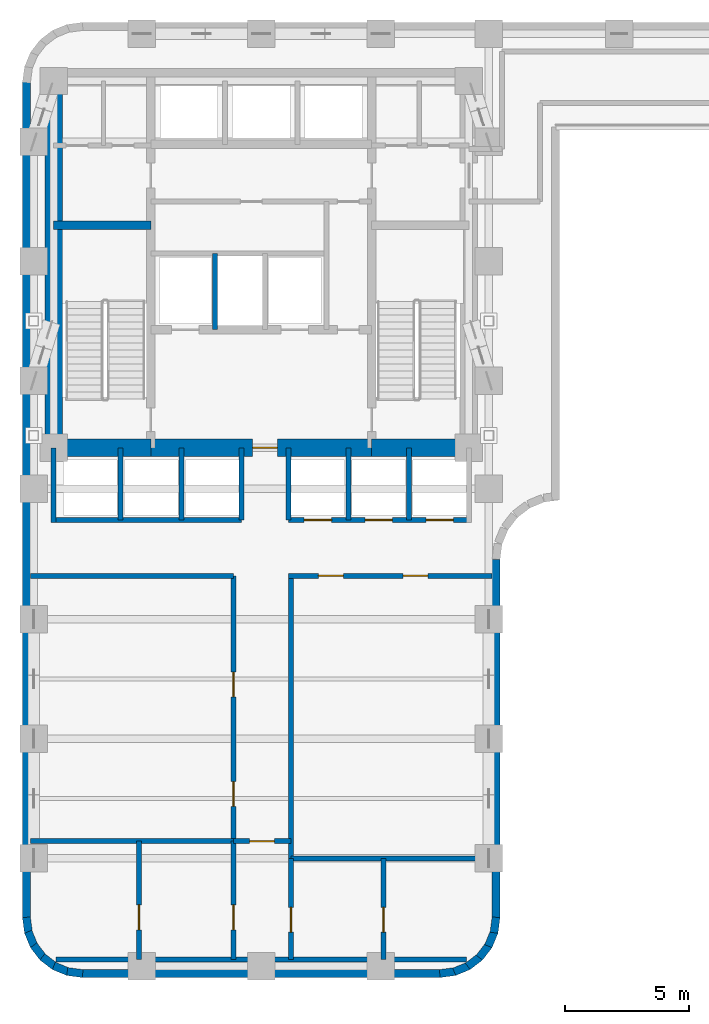
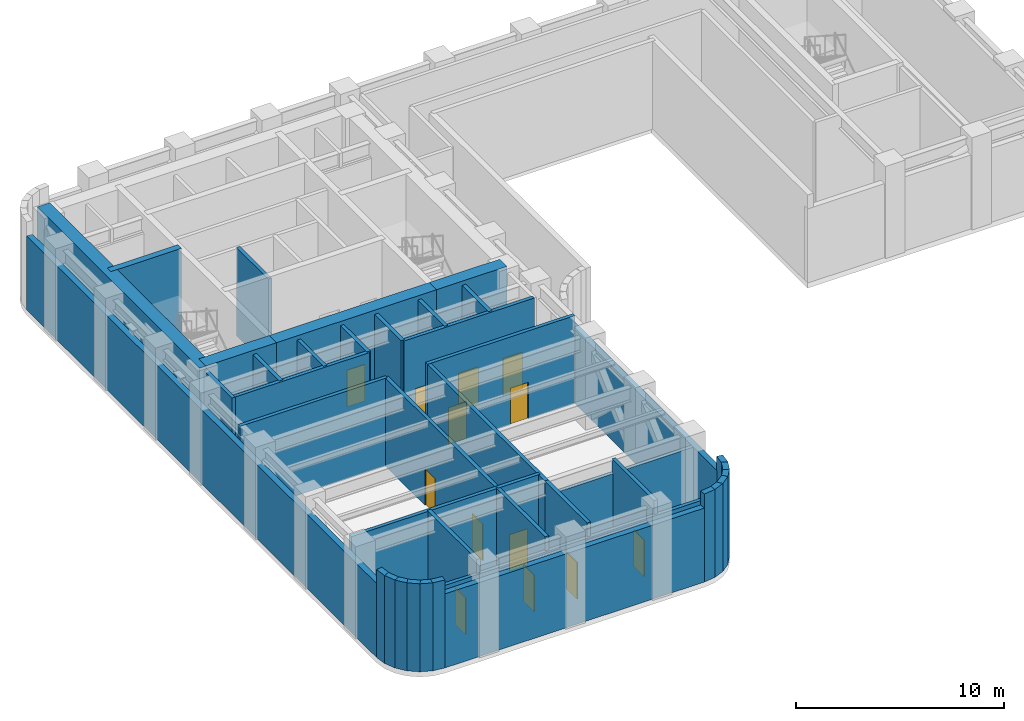
# One storey, part 5 of 9: 42 walls, 13 doors, 13 openings.
"""IFC4 building model written with IfcOpenShell, lengths in metres."""

import ifcopenshell
import ifcopenshell.guid

model = None  # the IFC model being written
_history = None  # IfcOwnerHistory: only IFC2X3 demands one
_inside = {}  # id of a spatial element -> (the spatial element, [elements in it])
_under = {}  # id of a project, library or spatial element -> (it, [spatial elements below it])
_declared = {}  # id of a project -> (the project, [libraries it declares])
_typed = {}  # id of a type object -> (the type object, [elements of that type])
_made_of = {}  # id of a material, layer set ... -> (it, [elements and type objects made of it])


def new_model(schema):
    """Start an empty IFC model of exactly this schema.

    Asked for "IFC4X3", IfcOpenShell would pick the latest addendum, in which some entities
    have other attributes; the version numbers below select the first issue.
    IFC2X3 requires an IfcOwnerHistory on every rooted entity: one is made here for all.
    """
    global model, _history
    if schema == "IFC4X3":
        model = ifcopenshell.file(schema_version=(4, 3, 0, 0))
    else:
        model = ifcopenshell.file(schema=schema)
    _inside.clear()
    _under.clear()
    _declared.clear()
    _typed.clear()
    _made_of.clear()
    _history = None
    if model.schema == "IFC2X3":
        org = make("IfcOrganization", Name="unknown")
        user = make(
            "IfcPersonAndOrganization",
            ThePerson=make("IfcPerson", FamilyName="unknown"),
            TheOrganization=org,
        )
        app = make(
            "IfcApplication",
            ApplicationDeveloper=org,
            Version="unknown",
            ApplicationFullName="unknown",
            ApplicationIdentifier="unknown",
        )
        _history = make(
            "IfcOwnerHistory",
            OwningUser=user,
            OwningApplication=app,
            ChangeAction="ADDED",
            CreationDate=0,
        )
    return model


def make(cls, **values):
    """One entity of the class cls with the attributes given. An attribute that is None is left unset."""
    return model.create_entity(
        cls, **{name: value for name, value in values.items() if value is not None}
    )


def rooted(cls, **values):
    """An entity with a GlobalId (a new one), such as an element, a storey or a relation."""
    return make(cls, GlobalId=ifcopenshell.guid.new(), OwnerHistory=_history, **values)


def si_unit(unit_type, name, prefix=None):
    """IfcSIUnit, for example si_unit("LENGTHUNIT", "METRE", prefix="MILLI")."""
    return make("IfcSIUnit", UnitType=unit_type, Prefix=prefix, Name=name)


def assignment(units):
    """IfcUnitAssignment: the units of a project."""
    return None if units is None else make("IfcUnitAssignment", Units=units)


def point(xyz):
    """IfcCartesianPoint."""
    return None if xyz is None else make("IfcCartesianPoint", Coordinates=xyz)


def direction(xyz):
    """IfcDirection."""
    return None if xyz is None else make("IfcDirection", DirectionRatios=xyz)


def frame(location, z_axis=None, x_axis=None):
    """IfcAxis2Placement3D, a coordinate frame: its origin and axes. An axis left out is left unset."""
    return make(
        "IfcAxis2Placement3D",
        Location=point(location),
        Axis=direction(z_axis),
        RefDirection=direction(x_axis),
    )


def frame_2d(location, x_axis=None):
    """IfcAxis2Placement2D, a coordinate frame in the plane: its origin and x axis."""
    return make(
        "IfcAxis2Placement2D", Location=point(location), RefDirection=direction(x_axis)
    )


def origin():
    """The frame at (0, 0, 0) with its axes left unset."""
    return frame((0.0, 0.0, 0.0))


def place(relative_to, where):
    """IfcLocalPlacement: puts the frame where relative to a parent placement (None: the world)."""
    return make(
        "IfcLocalPlacement", PlacementRelTo=relative_to, RelativePlacement=where
    )


def context(
    kind, dimensions, precision=None, world=None, true_north=None, identifier=None
):
    """IfcGeometricRepresentationContext, for example the 3D "Model" context."""
    return make(
        "IfcGeometricRepresentationContext",
        ContextIdentifier=identifier,
        ContextType=kind,
        CoordinateSpaceDimension=dimensions,
        Precision=precision,
        WorldCoordinateSystem=world,
        TrueNorth=true_north,
    )


def subcontext(parent, identifier, kind, view, scale=None):
    """IfcGeometricRepresentationSubContext, for example "Body" below "Model"."""
    return make(
        "IfcGeometricRepresentationSubContext",
        ContextIdentifier=identifier,
        ContextType=kind,
        ParentContext=parent,
        TargetScale=scale,
        TargetView=view,
    )


def project(units=None, contexts=None):
    """IfcProject with its units and contexts."""
    return rooted(
        "IfcProject",
        Name="project",
        RepresentationContexts=contexts,
        UnitsInContext=assignment(units),
    )


def spatial(cls, under=None, at=None, **own):
    """A site, building, storey or space (cls), placed at a placement, below another one or the project."""
    s = rooted(cls, ObjectPlacement=at, **own)
    if under is not None:
        _under.setdefault(under.id(), (under, []))[1].append(s)
    return s


def profile(cls, at=None, kind="AREA", **sizes):
    """A parametric profile (cls). Its sizes go by their IFC names, for example OverallWidth=200.0."""
    return make(cls, ProfileType=kind, Position=at, **sizes)


def rectangle(**sizes):
    """IfcRectangleProfileDef."""
    return profile("IfcRectangleProfileDef", **sizes)


def extrude(swept, where, along, depth):
    """IfcExtrudedAreaSolid: the profile swept, set in the frame where, extruded along a direction by depth."""
    return make(
        "IfcExtrudedAreaSolid",
        SweptArea=swept,
        Position=where,
        ExtrudedDirection=direction(along),
        Depth=depth,
    )


def shape(context_of_items, identifier, shape_type, items):
    """IfcShapeRepresentation: the items that make up one representation, for example the "Body"."""
    return make(
        "IfcShapeRepresentation",
        ContextOfItems=context_of_items,
        RepresentationIdentifier=identifier,
        RepresentationType=shape_type,
        Items=items,
    )


def material(Name=None, Category=None):
    """IfcMaterial."""
    return make("IfcMaterial", Name=Name, Category=Category)


def layer(
    of_material, thickness, ventilated=None, Name=None, Category=None, Priority=None
):
    """IfcMaterialLayer: one layer of a wall or slab, of a material (None: an air gap)."""
    return make(
        "IfcMaterialLayer",
        Material=of_material,
        LayerThickness=thickness,
        IsVentilated=ventilated,
        Name=Name,
        Category=Category,
        Priority=Priority,
    )


def layer_set(layers, Name=None):
    """IfcMaterialLayerSet."""
    return make("IfcMaterialLayerSet", MaterialLayers=layers, LayerSetName=Name)


def made_of(thing, what):
    """Note that an element or type object is made of a material, layer set ...; save() writes the relation."""
    if what is not None:
        _made_of.setdefault(what.id(), (what, []))[1].append(thing)
    return thing


def type_object(cls, material=None, **own):
    """A type object (cls), such as IfcWallType, which elements share."""
    return made_of(rooted(cls, **own), material)


def element(
    cls,
    number,
    at=None,
    inside=None,
    cuts=None,
    type_object=None,
    material=None,
    context=None,
    identifier="Body",
    shape_type=None,
    held_by="IfcProductDefinitionShape",
    body=None,
    shapes=None,
    **own,
):
    """One element of the class cls, such as IfcWall. Its Tag is "e" and its number.

    at: its placement. inside: the storey or other place that contains it. cuts: it is an
    opening in that element (IfcRelVoidsElement). A single representation is given by context,
    identifier, shape_type and body (its items); several are given by shapes. held_by: the class
    of the entity that holds the representations. save() writes the other relations.
    """
    e = rooted(cls, Tag="e%d" % number, ObjectPlacement=at, **own)
    if body is not None:
        shapes = [shape(context, identifier, shape_type, body)]
    if shapes is not None:
        e.Representation = make(held_by, Representations=shapes)
    if inside is not None:
        _inside.setdefault(inside.id(), (inside, []))[1].append(e)
    if cuts is not None:
        rooted(
            "IfcRelVoidsElement", RelatingBuildingElement=cuts, RelatedOpeningElement=e
        )
    if type_object is not None:
        _typed.setdefault(type_object.id(), (type_object, []))[1].append(e)
    return made_of(e, material)


def fill(opening, filler):
    """IfcRelFillsElement: the door or window that sits in an opening."""
    return rooted(
        "IfcRelFillsElement",
        RelatingOpeningElement=opening,
        RelatedBuildingElement=filler,
    )


def aggregate(whole, parts):
    """IfcRelAggregates: a whole, such as a stair, and the parts it consists of."""
    return rooted("IfcRelAggregates", RelatingObject=whole, RelatedObjects=parts)


def save(model, path):
    """Write the relations noted so far, then the file.

    IfcRelAggregates (storeys below a building ...), IfcRelContainedInSpatialStructure (elements
    in a storey), IfcRelDefinesByType, IfcRelAssociatesMaterial and IfcRelDeclares: one each for
    every whole, place, type object, material and project.
    """
    for whole, parts in _under.values():
        aggregate(whole, parts)
    for where, things in _inside.values():
        rooted(
            "IfcRelContainedInSpatialStructure",
            RelatedElements=things,
            RelatingStructure=where,
        )
    for kind, things in _typed.values():
        rooted("IfcRelDefinesByType", RelatedObjects=things, RelatingType=kind)
    for what, things in _made_of.values():
        rooted("IfcRelAssociatesMaterial", RelatedObjects=things, RelatingMaterial=what)
    for by, libraries in _declared.values():
        rooted("IfcRelDeclares", RelatingContext=by, RelatedDefinitions=libraries)
    model.write(path)


model = new_model("IFC4")

# Units and contexts
model_context = context("Model", 3, precision=1e-05, world=origin(), true_north=direction((0.0, 1.0)))
body_context = subcontext(model_context, "Body", "Model", "MODEL_VIEW")
ifc_project = project(units=[si_unit("LENGTHUNIT", "METRE"), si_unit("AREAUNIT", "SQUARE_METRE"), si_unit("VOLUMEUNIT", "CUBIC_METRE"), si_unit("PLANEANGLEUNIT", "RADIAN"), si_unit("MASSUNIT", "GRAM", prefix="KILO")], contexts=[model_context])

# Site, building, storey
site_placement = place(None, origin())
site = spatial("IfcSite", under=ifc_project, at=site_placement, CompositionType="ELEMENT")
building_placement = place(site_placement, origin())
building = spatial("IfcBuilding", under=site, at=building_placement, Name="Orvandelia Arch Residences", CompositionType="ELEMENT")
storey_placement = place(building_placement, frame((0.0, 0.0, 101.800048828125)))
storey = spatial("IfcBuildingStorey", under=building, at=storey_placement, Name="L26", CompositionType="ELEMENT", Elevation=101.800048828125)

# Walls
ifc_material_1 = material(Name="Concrete C50/60", Category="concrete")
ifc_layer_1 = layer(ifc_material_1, 0.35009765625, Name="Concrete C50/60", Category="concrete")
ifc_layer_set_1 = layer_set([ifc_layer_1], Name="Concrete C50/60")
wall_type_1 = type_object("IfcWallType", Name="WL-CORE-350", PredefinedType="SHEAR", material=ifc_layer_set_1)
wall_1_placement = place(storey_placement, frame((6.050048828125, 39.85009765625, 0.0), z_axis=(0.0, 0.0, 1.0), x_axis=(1.0, 0.0, 0.0)))
element("IfcWall", 1, at=wall_1_placement, inside=storey, type_object=wall_type_1, Name="Core Shear Wall L26-HZ1", PredefinedType="SHEAR", context=body_context, shape_type="SweptSolid", body=[
    extrude(rectangle(XDim=3.909912109375, YDim=0.35009765625, at=frame_2d((1.955078125, 0.0))), origin(), (0.0, 0.0, 1.0), 5.39990234375),
])
ifc_material_2 = material(Name="Concrete C80/95", Category="concrete")
ifc_layer_2 = layer(ifc_material_2, 0.699951171875, Name="Concrete C80/95", Category="concrete")
ifc_layer_set_2 = layer_set([ifc_layer_2], Name="Concrete C80/95")
wall_type_2 = type_object("IfcWallType", Name="WL-CORE-700", PredefinedType="SHEAR", material=ifc_layer_set_2)
wall_2_placement = place(storey_placement, frame((6.050048828125, 30.550048828125, 0.0), z_axis=(0.0, 0.0, 1.0), x_axis=(0.0, 1.0, 0.0)))
element("IfcWall", 2, at=wall_2_placement, inside=storey, type_object=wall_type_2, Name="Core Shear Wall L26-W", PredefinedType="SHEAR", context=body_context, shape_type="SweptSolid", body=[
    extrude(rectangle(XDim=15.599853515625, YDim=0.699951171875, at=frame_2d((7.7998046875, 0.0))), origin(), (0.0, 0.0, 1.0), 5.39990234375),
])
wall_3_placement = place(storey_placement, frame((6.050048828125, 30.89990234375, 0.0), z_axis=(0.0, 0.0, 1.0), x_axis=(1.0, 0.0, 0.0)))
element("IfcWall", 3, at=wall_3_placement, inside=storey, type_object=wall_type_2, Name="Core Shear Wall L26-SW", PredefinedType="SHEAR", context=body_context, shape_type="SweptSolid", body=[
    extrude(rectangle(XDim=3.909912109375, YDim=0.699951171875, at=frame_2d((1.955078125, 0.0))), origin(), (0.0, 0.0, 1.0), 5.39990234375),
])

# Wall, opening, door
wall_4_placement = place(storey_placement, frame((9.9599609375, 30.89990234375, 0.0), z_axis=(0.0, 0.0, 1.0), x_axis=(1.0, 0.0, 0.0)))
wall_4 = element("IfcWall", 4, at=wall_4_placement, inside=storey, type_object=wall_type_2, Name="Core Shear Wall L26-SM", PredefinedType="SHEAR", context=body_context, shape_type="SweptSolid", body=[
    extrude(rectangle(XDim=8.880126953125, YDim=0.699951171875, at=frame_2d((4.43994140625, 0.0))), origin(), (0.0, 0.0, 1.0), 5.39990234375),
])
opening_1_placement = place(wall_4_placement, frame((4.090087890625, 0.0, 0.0)))
opening_1 = element("IfcOpeningElement", 5, at=opening_1_placement, cuts=wall_4, Name="Opening D6", PredefinedType="OPENING", context=body_context, shape_type="SweptSolid", body=[
    extrude(rectangle(XDim=1.0, YDim=2.14990234375, at=frame_2d((0.5, 1.074951171875))), frame((0.0, 0.35986328125, 0.0), z_axis=(0.0, -1.0, 0.0), x_axis=(1.0, 0.0, 0.0)), (0.0, 0.0, 1.0), 0.719970703125),
])
ifc_material_3 = material(Name="Smokeproof Painted Steel Fire Door", Category="steel")
door_type_1 = type_object("IfcDoorType", Name="DR-FD60-1000", OperationType="NOTDEFINED", PredefinedType="DOOR", material=ifc_material_3)
door_1_placement = place(opening_1_placement, origin())
door_1 = element("IfcDoor", 6, at=door_1_placement, inside=storey, type_object=door_type_1, Name="Firefighting Lobby Smokeproof Door L26", OperationType="SINGLE_SWING_LEFT", OverallHeight=2.14990234375, OverallWidth=1.0, PredefinedType="DOOR", context=body_context, shape_type="SweptSolid", body=[
    extrude(rectangle(XDim=1.0, YDim=2.14990234375, at=frame_2d((0.5, 1.074951171875))), frame((0.0, 0.02490234375, 0.0), z_axis=(0.0, -1.0, 0.0), x_axis=(1.0, 0.0, 0.0)), (0.0, 0.0, 1.0), 0.050048828125),
])
fill(opening_1, door_1)

# Wall
wall_5_placement = place(storey_placement, frame((18.840087890625, 30.89990234375, 0.0), z_axis=(0.0, 0.0, 1.0), x_axis=(1.0, 0.0, 0.0)))
element("IfcWall", 7, at=wall_5_placement, inside=storey, type_object=wall_type_2, Name="Core Shear Wall L26-SE", PredefinedType="SHEAR", context=body_context, shape_type="SweptSolid", body=[
    extrude(rectangle(XDim=3.909912109375, YDim=0.699951171875, at=frame_2d((1.955078125, 0.0))), origin(), (0.0, 0.0, 1.0), 5.39990234375),
])

# Wall, opening, door
ifc_material_4 = material(Name="Fire-Rated Corridor Partition")
ifc_layer_3 = layer(ifc_material_4, 0.199951171875, Name="Fire-Rated Corridor Partition")
ifc_layer_set_3 = layer_set([ifc_layer_3], Name="Fire-Rated Corridor Partition")
wall_type_3 = type_object("IfcWallType", Name="WL-CORR-200", PredefinedType="PARTITIONING", material=ifc_layer_set_3)
wall_6_placement = place(storey_placement, frame((13.280029296875, 15.080078125, 0.0), z_axis=(0.0, 0.0, 1.0), x_axis=(1.0, 0.0, 0.0)))
wall_6 = element("IfcWall", 8, at=wall_6_placement, inside=storey, type_object=wall_type_3, Name="Interior Partition Wall WL-L26-RLOB-S", PredefinedType="PARTITIONING", context=body_context, shape_type="SweptSolid", body=[
    extrude(rectangle(XDim=2.320068359375, YDim=0.199951171875, at=frame_2d((1.16015625, 0.0))), origin(), (0.0, 0.0, 1.0), 5.159912109375),
])
opening_2_placement = place(wall_6_placement, frame((0.64990234375, 0.0, 0.0)))
opening_2 = element("IfcOpeningElement", 9, at=opening_2_placement, cuts=wall_6, Name="Opening D6", PredefinedType="OPENING", context=body_context, shape_type="SweptSolid", body=[
    extrude(rectangle(XDim=1.0, YDim=2.14990234375, at=frame_2d((0.5, 1.074951171875))), frame((0.0, 0.10986328125, 0.0), z_axis=(0.0, -1.0, 0.0), x_axis=(1.0, 0.0, 0.0)), (0.0, 0.0, 1.0), 0.219970703125),
])
door_2_placement = place(opening_2_placement, origin())
door_2 = element("IfcDoor", 10, at=door_2_placement, inside=storey, type_object=door_type_1, Name="DR-L26-RLOB-PC", OperationType="SINGLE_SWING_LEFT", OverallHeight=2.14990234375, OverallWidth=1.0, PredefinedType="DOOR", context=body_context, shape_type="SweptSolid", body=[
    extrude(rectangle(XDim=1.0, YDim=2.14990234375, at=frame_2d((0.5, 1.074951171875))), frame((0.0, 0.02490234375, 0.0), z_axis=(0.0, -1.0, 0.0), x_axis=(1.0, 0.0, 0.0)), (0.0, 0.0, 1.0), 0.050048828125),
])
fill(opening_2, door_2)

# Wall, openings, doors
wall_7_placement = place(storey_placement, frame((15.5, 25.75, 0.0), z_axis=(0.0, 0.0, 1.0), x_axis=(1.0, 0.0, 0.0)))
wall_7 = element("IfcWall", 11, at=wall_7_placement, inside=storey, type_object=wall_type_3, Name="Interior Partition Wall WL-L26-REF-N", PredefinedType="PARTITIONING", context=body_context, shape_type="SweptSolid", body=[
    extrude(rectangle(XDim=8.179931640625, YDim=0.199951171875, at=frame_2d((4.08984375, 0.0))), origin(), (0.0, 0.0, 1.0), 5.159912109375),
])
opening_3_placement = place(wall_7_placement, frame((1.199951171875, 0.0, 0.0)))
opening_3 = element("IfcOpeningElement", 12, at=opening_3_placement, cuts=wall_7, Name="Opening D6", PredefinedType="OPENING", context=body_context, shape_type="SweptSolid", body=[
    extrude(rectangle(XDim=1.0, YDim=2.14990234375, at=frame_2d((0.5, 1.074951171875))), frame((0.0, 0.10986328125, 0.0), z_axis=(0.0, -1.0, 0.0), x_axis=(1.0, 0.0, 0.0)), (0.0, 0.0, 1.0), 0.219970703125),
])
opening_4_placement = place(wall_7_placement, frame((4.60009765625, 0.0, 0.0)))
opening_4 = element("IfcOpeningElement", 13, at=opening_4_placement, cuts=wall_7, Name="Opening D6", PredefinedType="OPENING", context=body_context, shape_type="SweptSolid", body=[
    extrude(rectangle(XDim=1.0, YDim=2.14990234375, at=frame_2d((0.5, 1.074951171875))), frame((0.0, 0.10986328125, 0.0), z_axis=(0.0, -1.0, 0.0), x_axis=(1.0, 0.0, 0.0)), (0.0, 0.0, 1.0), 0.219970703125),
])
door_3_placement = place(opening_3_placement, origin())
door_3 = element("IfcDoor", 14, at=door_3_placement, inside=storey, type_object=door_type_1, Name="Refuge Safety Zone Fire Door 1 L26", OperationType="SINGLE_SWING_LEFT", OverallHeight=2.14990234375, OverallWidth=1.0, PredefinedType="DOOR", context=body_context, shape_type="SweptSolid", body=[
    extrude(rectangle(XDim=1.0, YDim=2.14990234375, at=frame_2d((0.5, 1.074951171875))), frame((0.0, 0.02490234375, 0.0), z_axis=(0.0, -1.0, 0.0), x_axis=(1.0, 0.0, 0.0)), (0.0, 0.0, 1.0), 0.050048828125),
])
fill(opening_3, door_3)
door_4_placement = place(opening_4_placement, origin())
door_4 = element("IfcDoor", 15, at=door_4_placement, inside=storey, type_object=door_type_1, Name="Refuge Safety Zone Fire Door 2 L26", OperationType="SINGLE_SWING_RIGHT", OverallHeight=2.14990234375, OverallWidth=1.0, PredefinedType="DOOR", context=body_context, shape_type="SweptSolid", body=[
    extrude(rectangle(XDim=1.0, YDim=2.14990234375, at=frame_2d((0.5, 1.074951171875))), frame((0.0, 0.02490234375, 0.0), z_axis=(0.0, -1.0, 0.0), x_axis=(1.0, 0.0, 0.0)), (0.0, 0.0, 1.0), 0.050048828125),
])
fill(opening_4, door_4)

# Walls
wall_8_placement = place(storey_placement, frame((15.60009765625, 14.3798828125, 0.0), z_axis=(0.0, 0.0, 1.0), x_axis=(1.0, 0.0, 0.0)))
element("IfcWall", 16, at=wall_8_placement, inside=storey, type_object=wall_type_3, Name="Interior Partition Wall WL-L26-REF-S", PredefinedType="PARTITIONING", context=body_context, shape_type="SweptSolid", body=[
    extrude(rectangle(XDim=8.079833984375, YDim=0.199951171875, at=frame_2d((4.0400390625, 0.0))), origin(), (0.0, 0.0, 1.0), 4.33984375),
])
for number, where, z_axis, x_axis, name in (
    (17, (5.1201171875, 25.75, 0.0), (0.0, 0.0, 1.0), (1.0, 0.0, 0.0), "Interior Partition Wall WL-L26-PC-NW"),
    (18, (5.1201171875, 15.080078125, 0.0), (0.0, 0.0, 1.0), (1.0, 0.0, 0.0), "Interior Partition Wall WL-L26-WREF-S"),
):
    element("IfcWall", number, at=place(storey_placement, frame(where, z_axis=z_axis, x_axis=x_axis)), inside=storey, type_object=wall_type_3, Name=name, PredefinedType="PARTITIONING", context=body_context, shape_type="SweptSolid", body=[
        extrude(rectangle(XDim=8.159912109375, YDim=0.199951171875, at=frame_2d((4.080078125, 0.0))), origin(), (0.0, 0.0, 1.0), 5.159912109375),
    ])

# Wall, openings, doors
wall_9_placement = place(storey_placement, frame((13.280029296875, 15.080078125, 0.0), z_axis=(0.0, 0.0, 1.0), x_axis=(0.0, 1.0, 0.0)))
wall_9 = element("IfcWall", 19, at=wall_9_placement, inside=storey, type_object=wall_type_3, Name="Interior Partition Wall WL-L26-RLOB-W", PredefinedType="PARTITIONING", context=body_context, shape_type="SweptSolid", body=[
    extrude(rectangle(XDim=10.669921875, YDim=0.199951171875, at=frame_2d((5.3349609375, 0.0))), origin(), (0.0, 0.0, 1.0), 5.159912109375),
])
opening_5_placement = place(wall_9_placement, frame((1.39990234375, 0.0, 0.0)))
opening_5 = element("IfcOpeningElement", 20, at=opening_5_placement, cuts=wall_9, Name="Opening D6", PredefinedType="OPENING", context=body_context, shape_type="SweptSolid", body=[
    extrude(rectangle(XDim=1.0, YDim=2.14990234375, at=frame_2d((0.5, 1.074951171875))), frame((0.0, 0.10986328125, 0.0), z_axis=(0.0, -1.0, 0.0), x_axis=(1.0, 0.0, 0.0)), (0.0, 0.0, 1.0), 0.219970703125),
])
opening_6_placement = place(wall_9_placement, frame((5.800048828125, 0.0, 0.0)))
opening_6 = element("IfcOpeningElement", 21, at=opening_6_placement, cuts=wall_9, Name="Opening D6", PredefinedType="OPENING", context=body_context, shape_type="SweptSolid", body=[
    extrude(rectangle(XDim=1.0, YDim=2.14990234375, at=frame_2d((0.5, 1.074951171875))), frame((0.0, 0.10986328125, 0.0), z_axis=(0.0, -1.0, 0.0), x_axis=(1.0, 0.0, 0.0)), (0.0, 0.0, 1.0), 0.219970703125),
])
door_5_placement = place(opening_5_placement, origin())
door_5 = element("IfcDoor", 22, at=door_5_placement, inside=storey, type_object=door_type_1, Name="West Refuge Safety Zone Door 1 L26", OperationType="SINGLE_SWING_LEFT", OverallHeight=2.14990234375, OverallWidth=1.0, PredefinedType="DOOR", context=body_context, shape_type="SweptSolid", body=[
    extrude(rectangle(XDim=1.0, YDim=2.14990234375, at=frame_2d((0.5, 1.074951171875))), frame((0.0, 0.02490234375, 0.0), z_axis=(0.0, -1.0, 0.0), x_axis=(1.0, 0.0, 0.0)), (0.0, 0.0, 1.0), 0.050048828125),
])
fill(opening_5, door_5)
door_6_placement = place(opening_6_placement, origin())
door_6 = element("IfcDoor", 23, at=door_6_placement, inside=storey, type_object=door_type_1, Name="West Refuge Safety Zone Door 2 L26", OperationType="SINGLE_SWING_RIGHT", OverallHeight=2.14990234375, OverallWidth=1.0, PredefinedType="DOOR", context=body_context, shape_type="SweptSolid", body=[
    extrude(rectangle(XDim=1.0, YDim=2.14990234375, at=frame_2d((0.5, 1.074951171875))), frame((0.0, 0.02490234375, 0.0), z_axis=(0.0, -1.0, 0.0), x_axis=(1.0, 0.0, 0.0)), (0.0, 0.0, 1.0), 0.050048828125),
])
fill(opening_6, door_6)

# Walls
wall_10_placement = place(storey_placement, frame((15.60009765625, 14.3798828125, 0.0), z_axis=(0.0, 0.0, 1.0), x_axis=(0.0, 1.0, 0.0)))
element("IfcWall", 24, at=wall_10_placement, inside=storey, type_object=wall_type_3, Name="Interior Partition Wall WL-L26-RLOB-E", PredefinedType="PARTITIONING", context=body_context, shape_type="SweptSolid", body=[
    extrude(rectangle(XDim=11.3701171875, YDim=0.199951171875, at=frame_2d((5.68505859375, 0.0))), origin(), (0.0, 0.0, 1.0), 5.159912109375),
])
wall_11_placement = place(storey_placement, frame((6.139892578125, 10.320068359375, 0.0), z_axis=(0.0, 0.0, 1.0), x_axis=(1.0, 0.0, 0.0)))
element("IfcWall", 25, at=wall_11_placement, inside=storey, type_object=wall_type_3, Name="Interior Partition Wall WL-L26-PLT-S0", PredefinedType="PARTITIONING", context=body_context, shape_type="SweptSolid", body=[
    extrude(rectangle(XDim=16.52001953125, YDim=0.199951171875, at=frame_2d((8.260009765625, 0.0))), origin(), (0.0, 0.0, 1.0), 4.33984375),
])

# Wall, opening, door
wall_12_placement = place(storey_placement, frame((13.280029296875, 10.320068359375, 0.0), z_axis=(0.0, 0.0, 1.0), x_axis=(0.0, 1.0, 0.0)))
wall_12 = element("IfcWall", 26, at=wall_12_placement, inside=storey, type_object=wall_type_3, Name="Interior Partition Wall WL-L26-PC-W", PredefinedType="PARTITIONING", context=body_context, shape_type="SweptSolid", body=[
    extrude(rectangle(XDim=4.760009765625, YDim=0.199951171875, at=frame_2d((2.3798828125, 0.0))), origin(), (0.0, 0.0, 1.0), 5.159912109375),
])
opening_7_placement = place(wall_12_placement, frame((1.199951171875, 0.0, 0.0)))
opening_7 = element("IfcOpeningElement", 27, at=opening_7_placement, cuts=wall_12, Name="Opening D6", PredefinedType="OPENING", context=body_context, shape_type="SweptSolid", body=[
    extrude(rectangle(XDim=1.0, YDim=2.14990234375, at=frame_2d((0.5, 1.074951171875))), frame((0.0, 0.10986328125, 0.0), z_axis=(0.0, -1.0, 0.0), x_axis=(1.0, 0.0, 0.0)), (0.0, 0.0, 1.0), 0.219970703125),
])
door_7_placement = place(opening_7_placement, origin())
door_7 = element("IfcDoor", 28, at=door_7_placement, inside=storey, type_object=door_type_1, Name="DR-L26-P2", OperationType="SINGLE_SWING_RIGHT", OverallHeight=2.14990234375, OverallWidth=1.0, PredefinedType="DOOR", context=body_context, shape_type="SweptSolid", body=[
    extrude(rectangle(XDim=1.0, YDim=2.14990234375, at=frame_2d((0.5, 1.074951171875))), frame((0.0, 0.02490234375, 0.0), z_axis=(0.0, -1.0, 0.0), x_axis=(1.0, 0.0, 0.0)), (0.0, 0.0, 1.0), 0.050048828125),
])
fill(opening_7, door_7)

wall_13_placement = place(storey_placement, frame((15.60009765625, 10.320068359375, 0.0), z_axis=(0.0, 0.0, 1.0), x_axis=(0.0, 1.0, 0.0)))
wall_13 = element("IfcWall", 29, at=wall_13_placement, inside=storey, type_object=wall_type_3, Name="Interior Partition Wall WL-L26-PC-E", PredefinedType="PARTITIONING", context=body_context, shape_type="SweptSolid", body=[
    extrude(rectangle(XDim=4.059814453125, YDim=0.199951171875, at=frame_2d((2.02978515625, 0.0))), origin(), (0.0, 0.0, 1.0), 5.159912109375),
])
opening_8_placement = place(wall_13_placement, frame((1.10009765625, 0.0, 0.0)))
opening_8 = element("IfcOpeningElement", 30, at=opening_8_placement, cuts=wall_13, Name="Opening D6", PredefinedType="OPENING", context=body_context, shape_type="SweptSolid", body=[
    extrude(rectangle(XDim=1.0, YDim=2.14990234375, at=frame_2d((0.5, 1.074951171875))), frame((0.0, 0.10986328125, 0.0), z_axis=(0.0, -1.0, 0.0), x_axis=(1.0, 0.0, 0.0)), (0.0, 0.0, 1.0), 0.219970703125),
])
door_8_placement = place(opening_8_placement, origin())
door_8 = element("IfcDoor", 31, at=door_8_placement, inside=storey, type_object=door_type_1, Name="DR-L26-P3", OperationType="SINGLE_SWING_RIGHT", OverallHeight=2.14990234375, OverallWidth=1.0, PredefinedType="DOOR", context=body_context, shape_type="SweptSolid", body=[
    extrude(rectangle(XDim=1.0, YDim=2.14990234375, at=frame_2d((0.5, 1.074951171875))), frame((0.0, 0.02490234375, 0.0), z_axis=(0.0, -1.0, 0.0), x_axis=(1.0, 0.0, 0.0)), (0.0, 0.0, 1.0), 0.050048828125),
])
fill(opening_8, door_8)

wall_14_placement = place(storey_placement, frame((9.47998046875, 10.320068359375, 0.0), z_axis=(0.0, 0.0, 1.0), x_axis=(0.0, 1.0, 0.0)))
wall_14 = element("IfcWall", 32, at=wall_14_placement, inside=storey, type_object=wall_type_3, Name="Interior Partition Wall WL-L26-PM1", PredefinedType="PARTITIONING", context=body_context, shape_type="SweptSolid", body=[
    extrude(rectangle(XDim=4.760009765625, YDim=0.199951171875, at=frame_2d((2.3798828125, 0.0))), origin(), (0.0, 0.0, 1.0), 5.159912109375),
])
opening_9_placement = place(wall_14_placement, frame((1.199951171875, 0.0, 0.0)))
opening_9 = element("IfcOpeningElement", 33, at=opening_9_placement, cuts=wall_14, Name="Opening D6", PredefinedType="OPENING", context=body_context, shape_type="SweptSolid", body=[
    extrude(rectangle(XDim=1.0, YDim=2.14990234375, at=frame_2d((0.5, 1.074951171875))), frame((0.0, 0.10986328125, 0.0), z_axis=(0.0, -1.0, 0.0), x_axis=(1.0, 0.0, 0.0)), (0.0, 0.0, 1.0), 0.219970703125),
])
door_9_placement = place(opening_9_placement, origin())
door_9 = element("IfcDoor", 34, at=door_9_placement, inside=storey, type_object=door_type_1, Name="DR-L26-P1", OperationType="SINGLE_SWING_LEFT", OverallHeight=2.14990234375, OverallWidth=1.0, PredefinedType="DOOR", context=body_context, shape_type="SweptSolid", body=[
    extrude(rectangle(XDim=1.0, YDim=2.14990234375, at=frame_2d((0.5, 1.074951171875))), frame((0.0, 0.02490234375, 0.0), z_axis=(0.0, -1.0, 0.0), x_axis=(1.0, 0.0, 0.0)), (0.0, 0.0, 1.0), 0.050048828125),
])
fill(opening_9, door_9)

wall_15_placement = place(storey_placement, frame((19.320068359375, 10.320068359375, 0.0), z_axis=(0.0, 0.0, 1.0), x_axis=(0.0, 1.0, 0.0)))
wall_15 = element("IfcWall", 35, at=wall_15_placement, inside=storey, type_object=wall_type_3, Name="Interior Partition Wall WL-L26-PM2", PredefinedType="PARTITIONING", context=body_context, shape_type="SweptSolid", body=[
    extrude(rectangle(XDim=4.059814453125, YDim=0.199951171875, at=frame_2d((2.02978515625, 0.0))), origin(), (0.0, 0.0, 1.0), 5.159912109375),
])
opening_10_placement = place(wall_15_placement, frame((1.10009765625, 0.0, 0.0)))
opening_10 = element("IfcOpeningElement", 36, at=opening_10_placement, cuts=wall_15, Name="Opening D6", PredefinedType="OPENING", context=body_context, shape_type="SweptSolid", body=[
    extrude(rectangle(XDim=1.0, YDim=2.14990234375, at=frame_2d((0.5, 1.074951171875))), frame((0.0, 0.10986328125, 0.0), z_axis=(0.0, -1.0, 0.0), x_axis=(1.0, 0.0, 0.0)), (0.0, 0.0, 1.0), 0.219970703125),
])
door_10_placement = place(opening_10_placement, origin())
door_10 = element("IfcDoor", 37, at=door_10_placement, inside=storey, type_object=door_type_1, Name="DR-L26-P4", OperationType="SINGLE_SWING_LEFT", OverallHeight=2.14990234375, OverallWidth=1.0, PredefinedType="DOOR", context=body_context, shape_type="SweptSolid", body=[
    extrude(rectangle(XDim=1.0, YDim=2.14990234375, at=frame_2d((0.5, 1.074951171875))), frame((0.0, 0.02490234375, 0.0), z_axis=(0.0, -1.0, 0.0), x_axis=(1.0, 0.0, 0.0)), (0.0, 0.0, 1.0), 0.050048828125),
])
fill(opening_10, door_10)

# Walls
ifc_material_5 = material(Name="Precast concrete C40/50", Category="concrete")
ifc_layer_4 = layer(ifc_material_5, 0.320068359375, Name="Precast concrete C40/50", Category="concrete")
ifc_layer_set_4 = layer_set([ifc_layer_4], Name="Precast concrete C40/50")
wall_type_4 = type_object("IfcWallType", Name="WL-EXT-STONE-320", PredefinedType="STANDARD", material=ifc_layer_set_4)
wall_16_placement = place(storey_placement, frame((23.840087890625, 26.39990234375, 0.0), z_axis=(0.0, 0.0, 1.0), x_axis=(0.0, -1.0, 0.0)))
element("IfcWall", 38, at=wall_16_placement, inside=storey, type_object=wall_type_4, Name="Coral-Limestone Precast Facade Wall L26-030", PredefinedType="STANDARD", context=body_context, shape_type="SweptSolid", body=[
    extrude(rectangle(XDim=14.39990234375, YDim=0.320068359375, at=frame_2d((7.199951171875, 0.0))), origin(), (0.0, 0.0, 1.0), 4.33984375),
])
wall_17_placement = place(storey_placement, frame((23.84130859375, 12.02099609375, 0.0), z_axis=(0.0, 0.0, 1.0), x_axis=(-0.130504898859, -0.991447664465, 0.0)))
element("IfcWall", 39, at=wall_17_placement, inside=storey, type_object=wall_type_4, Name="Coral-Limestone Precast Facade Wall L26-031", PredefinedType="STANDARD", context=body_context, shape_type="SweptSolid", body=[
    extrude(rectangle(XDim=0.626708984375, YDim=0.320068359375, at=frame_2d((0.3134765625, 0.0))), origin(), (0.0, 0.0, 1.0), 5.159912109375),
])
for number, where, z_axis, x_axis, name in (
    (40, (23.7705078125, 11.43994140625, 0.0), (0.0, 0.0, 1.0), (-0.382650053678, -0.92389335771, 0.0), "Coral-Limestone Precast Facade Wall L26-032"),
    (41, (23.551513671875, 10.8974609375, 0.0), (0.0, 0.0, 1.0), (-0.608693302629, -0.793405610854, 0.0), "Coral-Limestone Precast Facade Wall L26-033"),
    (42, (23.19970703125, 10.4296875, 0.0), (0.0, 0.0, 1.0), (-0.793405610854, -0.608693302629, 0.0), "Coral-Limestone Precast Facade Wall L26-034"),
    (43, (22.73876953125, 10.0693359375, 0.0), (0.0, 0.0, 1.0), (-0.92389335771, -0.382650053678, 0.0), "Coral-Limestone Precast Facade Wall L26-035"),
    (44, (22.2001953125, 9.84033203125, 0.0), (0.0, 0.0, 1.0), (-0.9914410257, -0.130555323746, 0.0), "Coral-Limestone Precast Facade Wall L26-036"),
):
    element("IfcWall", number, at=place(storey_placement, frame(where, z_axis=z_axis, x_axis=x_axis)), inside=storey, type_object=wall_type_4, Name=name, PredefinedType="STANDARD", context=body_context, shape_type="SweptSolid", body=[
        extrude(rectangle(XDim=0.62646484375, YDim=0.320068359375, at=frame_2d((0.313232421875, 0.0))), origin(), (0.0, 0.0, 1.0), 5.159912109375),
    ])
wall_18_placement = place(storey_placement, frame((21.60009765625, 9.760009765625, 0.0), z_axis=(0.0, 0.0, 1.0), x_axis=(-1.0, 0.0, 0.0)))
element("IfcWall", 45, at=wall_18_placement, inside=storey, type_object=wall_type_4, Name="Coral-Limestone Precast Facade Wall L26-037", PredefinedType="STANDARD", context=body_context, shape_type="SweptSolid", body=[
    extrude(rectangle(XDim=14.400146484375, YDim=0.320068359375, at=frame_2d((7.2001953125, 0.0))), origin(), (0.0, 0.0, 1.0), 4.33984375),
])
wall_19_placement = place(storey_placement, frame((7.220947265625, 9.758544921875, 0.0), z_axis=(0.0, 0.0, 1.0), x_axis=(-0.991447664465, 0.130504898859, 0.0)))
element("IfcWall", 46, at=wall_19_placement, inside=storey, type_object=wall_type_4, Name="Coral-Limestone Precast Facade Wall L26-038", PredefinedType="STANDARD", context=body_context, shape_type="SweptSolid", body=[
    extrude(rectangle(XDim=0.626708984375, YDim=0.320068359375, at=frame_2d((0.3134765625, 0.0))), origin(), (0.0, 0.0, 1.0), 5.159912109375),
])
wall_20_placement = place(storey_placement, frame((6.639892578125, 9.82958984375, 0.0), z_axis=(0.0, 0.0, 1.0), x_axis=(-0.923836271867, 0.382787856107, 0.0)))
element("IfcWall", 47, at=wall_20_placement, inside=storey, type_object=wall_type_4, Name="Coral-Limestone Precast Facade Wall L26-039", PredefinedType="STANDARD", context=body_context, shape_type="SweptSolid", body=[
    extrude(rectangle(XDim=0.626220703125, YDim=0.320068359375, at=frame_2d((0.31298828125, 0.0))), origin(), (0.0, 0.0, 1.0), 5.159912109375),
])
wall_21_placement = place(storey_placement, frame((6.097412109375, 10.04833984375, 0.0), z_axis=(0.0, 0.0, 1.0), x_axis=(-0.793405610854, 0.608693302629, 0.0)))
element("IfcWall", 48, at=wall_21_placement, inside=storey, type_object=wall_type_4, Name="Coral-Limestone Precast Facade Wall L26-040", PredefinedType="STANDARD", context=body_context, shape_type="SweptSolid", body=[
    extrude(rectangle(XDim=0.62646484375, YDim=0.320068359375, at=frame_2d((0.313232421875, 0.0))), origin(), (0.0, 0.0, 1.0), 5.159912109375),
])
wall_22_placement = place(storey_placement, frame((5.6298828125, 10.400390625, 0.0), z_axis=(0.0, 0.0, 1.0), x_axis=(-0.608938521285, 0.7932174212, 0.0)))
element("IfcWall", 49, at=wall_22_placement, inside=storey, type_object=wall_type_4, Name="Coral-Limestone Precast Facade Wall L26-041", PredefinedType="STANDARD", context=body_context, shape_type="SweptSolid", body=[
    extrude(rectangle(XDim=0.626708984375, YDim=0.320068359375, at=frame_2d((0.3134765625, 0.0))), origin(), (0.0, 0.0, 1.0), 5.159912109375),
])
wall_23_placement = place(storey_placement, frame((5.269287109375, 10.861083984375, 0.0), z_axis=(0.0, 0.0, 1.0), x_axis=(-0.382650053678, 0.92389335771, 0.0)))
element("IfcWall", 50, at=wall_23_placement, inside=storey, type_object=wall_type_4, Name="Coral-Limestone Precast Facade Wall L26-042", PredefinedType="STANDARD", context=body_context, shape_type="SweptSolid", body=[
    extrude(rectangle(XDim=0.62646484375, YDim=0.320068359375, at=frame_2d((0.313232421875, 0.0))), origin(), (0.0, 0.0, 1.0), 5.159912109375),
])
wall_24_placement = place(storey_placement, frame((5.040283203125, 11.399658203125, 0.0), z_axis=(0.0, 0.0, 1.0), x_axis=(-0.130504898859, 0.991447664465, 0.0)))
element("IfcWall", 51, at=wall_24_placement, inside=storey, type_object=wall_type_4, Name="Coral-Limestone Precast Facade Wall L26-043", PredefinedType="STANDARD", context=body_context, shape_type="SweptSolid", body=[
    extrude(rectangle(XDim=0.626708984375, YDim=0.320068359375, at=frame_2d((0.3134765625, 0.0))), origin(), (0.0, 0.0, 1.0), 5.159912109375),
])
wall_25_placement = place(storey_placement, frame((4.9599609375, 12.0, 0.0), z_axis=(0.0, 0.0, 1.0), x_axis=(0.0, 1.0, 0.0)))
element("IfcWall", 52, at=wall_25_placement, inside=storey, type_object=wall_type_4, Name="Coral-Limestone Precast Facade Wall L26-044", PredefinedType="STANDARD", context=body_context, shape_type="SweptSolid", body=[
    extrude(rectangle(XDim=33.60009765625, YDim=0.320068359375, at=frame_2d((16.800048828125, 0.0))), origin(), (0.0, 0.0, 1.0), 4.33984375),
])
ifc_material_6 = material(Name="Fire-Rated Shaft Enclosure Wall")
ifc_layer_5 = layer(ifc_material_6, 0.199951171875, Name="Fire-Rated Shaft Enclosure Wall")
ifc_layer_set_5 = layer_set([ifc_layer_5], Name="Fire-Rated Shaft Enclosure Wall")
wall_type_5 = type_object("IfcWallType", Name="WL-SHAFT-200", PredefinedType="POLYGONAL", material=ifc_layer_set_5)
wall_26_placement = place(storey_placement, frame((12.550048828125, 35.64990234375, 0.0), z_axis=(0.0, 0.0, 1.0), x_axis=(0.0, 1.0, 0.0)))
element("IfcWall", 53, at=wall_26_placement, inside=storey, type_object=wall_type_5, Name="Interior Partition Wall WL-L26-FLM1", PredefinedType="POLYGONAL", context=body_context, shape_type="SweptSolid", body=[
    extrude(rectangle(XDim=3.070068359375, YDim=0.199951171875, at=frame_2d((1.53515625, 0.0))), origin(), (0.0, 0.0, 1.0), 5.159912109375),
])
wall_27_placement = place(storey_placement, frame((6.050048828125, 28.0, 0.0), z_axis=(0.0, 0.0, 1.0), x_axis=(1.0, 0.0, 0.0)))
element("IfcWall", 54, at=wall_27_placement, inside=storey, type_object=wall_type_5, Name="Interior Partition Wall WL-L26-BNKL-S", PredefinedType="POLYGONAL", context=body_context, shape_type="SweptSolid", body=[
    extrude(rectangle(XDim=7.550048828125, YDim=0.199951171875, at=frame_2d((3.77490234375, 0.0))), origin(), (0.0, 0.0, 1.0), 5.159912109375),
])

# Wall, openings, doors
wall_28_placement = place(storey_placement, frame((15.5, 28.0, 0.0), z_axis=(0.0, 0.0, 1.0), x_axis=(1.0, 0.0, 0.0)))
wall_28 = element("IfcWall", 55, at=wall_28_placement, inside=storey, type_object=wall_type_5, Name="Interior Partition Wall WL-L26-BNKM-S", PredefinedType="POLYGONAL", context=body_context, shape_type="SweptSolid", body=[
    extrude(rectangle(XDim=7.25, YDim=0.199951171875, at=frame_2d((3.625, 0.0))), origin(), (0.0, 0.0, 1.0), 5.159912109375),
])
opening_11_placement = place(wall_28_placement, frame((0.625, 0.0, 0.0)))
opening_11 = element("IfcOpeningElement", 56, at=opening_11_placement, cuts=wall_28, Name="Opening LD", PredefinedType="OPENING", context=body_context, shape_type="SweptSolid", body=[
    extrude(rectangle(XDim=1.10009765625, YDim=2.14990234375, at=frame_2d((0.550048828125, 1.074951171875))), frame((0.0, 0.10986328125, 0.0), z_axis=(0.0, -1.0, 0.0), x_axis=(1.0, 0.0, 0.0)), (0.0, 0.0, 1.0), 0.219970703125),
])
opening_12_placement = place(wall_28_placement, frame((3.074951171875, 0.0, 0.0)))
opening_12 = element("IfcOpeningElement", 57, at=opening_12_placement, cuts=wall_28, Name="Opening LD", PredefinedType="OPENING", context=body_context, shape_type="SweptSolid", body=[
    extrude(rectangle(XDim=1.10009765625, YDim=2.14990234375, at=frame_2d((0.550048828125, 1.074951171875))), frame((0.0, 0.10986328125, 0.0), z_axis=(0.0, -1.0, 0.0), x_axis=(1.0, 0.0, 0.0)), (0.0, 0.0, 1.0), 0.219970703125),
])
opening_13_placement = place(wall_28_placement, frame((5.52490234375, 0.0, 0.0)))
opening_13 = element("IfcOpeningElement", 58, at=opening_13_placement, cuts=wall_28, Name="Opening LD", PredefinedType="OPENING", context=body_context, shape_type="SweptSolid", body=[
    extrude(rectangle(XDim=1.10009765625, YDim=2.14990234375, at=frame_2d((0.550048828125, 1.074951171875))), frame((0.0, 0.10986328125, 0.0), z_axis=(0.0, -1.0, 0.0), x_axis=(1.0, 0.0, 0.0)), (0.0, 0.0, 1.0), 0.219970703125),
])
ifc_material_7 = material(Name="Brushed Stainless Steel Sliding Lift Door", Category="steel")
door_type_2 = type_object("IfcDoorType", Name="DR-LIFT-1100", OperationType="NOTDEFINED", PredefinedType="DOOR", material=ifc_material_7)
door_11_placement = place(opening_11_placement, origin())
door_11 = element("IfcDoor", 59, at=door_11_placement, inside=storey, type_object=door_type_2, Name="Lift Landing Door LD-PM1", OperationType="SLIDING_TO_RIGHT", OverallHeight=2.14990234375, OverallWidth=1.10009765625, PredefinedType="DOOR", context=body_context, shape_type="SweptSolid", body=[
    extrude(rectangle(XDim=1.10009765625, YDim=2.14990234375, at=frame_2d((0.550048828125, 1.074951171875))), frame((0.0, 0.02490234375, 0.0), z_axis=(0.0, -1.0, 0.0), x_axis=(1.0, 0.0, 0.0)), (0.0, 0.0, 1.0), 0.050048828125),
])
fill(opening_11, door_11)
door_12_placement = place(opening_12_placement, origin())
door_12 = element("IfcDoor", 60, at=door_12_placement, inside=storey, type_object=door_type_2, Name="Lift Landing Door LD-PM2", OperationType="SLIDING_TO_LEFT", OverallHeight=2.14990234375, OverallWidth=1.10009765625, PredefinedType="DOOR", context=body_context, shape_type="SweptSolid", body=[
    extrude(rectangle(XDim=1.10009765625, YDim=2.14990234375, at=frame_2d((0.550048828125, 1.074951171875))), frame((0.0, 0.02490234375, 0.0), z_axis=(0.0, -1.0, 0.0), x_axis=(1.0, 0.0, 0.0)), (0.0, 0.0, 1.0), 0.050048828125),
])
fill(opening_12, door_12)
door_13_placement = place(opening_13_placement, origin())
door_13 = element("IfcDoor", 61, at=door_13_placement, inside=storey, type_object=door_type_2, Name="Lift Landing Door LD-PM3", OperationType="SLIDING_TO_RIGHT", OverallHeight=2.14990234375, OverallWidth=1.10009765625, PredefinedType="DOOR", context=body_context, shape_type="SweptSolid", body=[
    extrude(rectangle(XDim=1.10009765625, YDim=2.14990234375, at=frame_2d((0.550048828125, 1.074951171875))), frame((0.0, 0.02490234375, 0.0), z_axis=(0.0, -1.0, 0.0), x_axis=(1.0, 0.0, 0.0)), (0.0, 0.0, 1.0), 0.050048828125),
])
fill(opening_13, door_13)

# Walls
wall_29_placement = place(storey_placement, frame((6.050048828125, 27.89990234375, 0.0), z_axis=(0.0, 0.0, 1.0), x_axis=(0.0, 1.0, 0.0)))
element("IfcWall", 62, at=wall_29_placement, inside=storey, type_object=wall_type_5, Name="Interior Partition Wall WL-L26-BNKL-W", PredefinedType="POLYGONAL", context=body_context, shape_type="SweptSolid", body=[
    extrude(rectangle(XDim=3.0, YDim=0.199951171875, at=frame_2d((1.5, 0.0))), origin(), (0.0, 0.0, 1.0), 5.159912109375),
])
for number, where, z_axis, x_axis, name in (
    (63, (13.60009765625, 28.0, 0.0), (0.0, 0.0, 1.0), (0.0, 1.0, 0.0), "Interior Partition Wall WL-L26-BNKL-E"),
    (64, (15.5, 28.0, 0.0), (0.0, 0.0, 1.0), (0.0, 1.0, 0.0), "Interior Partition Wall WL-L26-BNKM-W"),
    (65, (8.75, 28.0, 0.0), (0.0, 0.0, 1.0), (0.0, 1.0, 0.0), "Interior Partition Wall WL-L26-BNKD-875"),
    (66, (11.199951171875, 28.0, 0.0), (0.0, 0.0, 1.0), (0.0, 1.0, 0.0), "Interior Partition Wall WL-L26-BNKD-1120"),
    (67, (17.89990234375, 28.0, 0.0), (0.0, 0.0, 1.0), (0.0, 1.0, 0.0), "Interior Partition Wall WL-L26-BNKD-1789"),
    (68, (20.35009765625, 28.0, 0.0), (0.0, 0.0, 1.0), (0.0, 1.0, 0.0), "Interior Partition Wall WL-L26-BNKD-2035"),
):
    element("IfcWall", number, at=place(storey_placement, frame(where, z_axis=z_axis, x_axis=x_axis)), inside=storey, type_object=wall_type_5, Name=name, PredefinedType="POLYGONAL", context=body_context, shape_type="SweptSolid", body=[
        extrude(rectangle(XDim=2.89990234375, YDim=0.199951171875, at=frame_2d((1.449951171875, 0.0))), origin(), (0.0, 0.0, 1.0), 5.159912109375),
    ])

save(model, "model.ifc")
